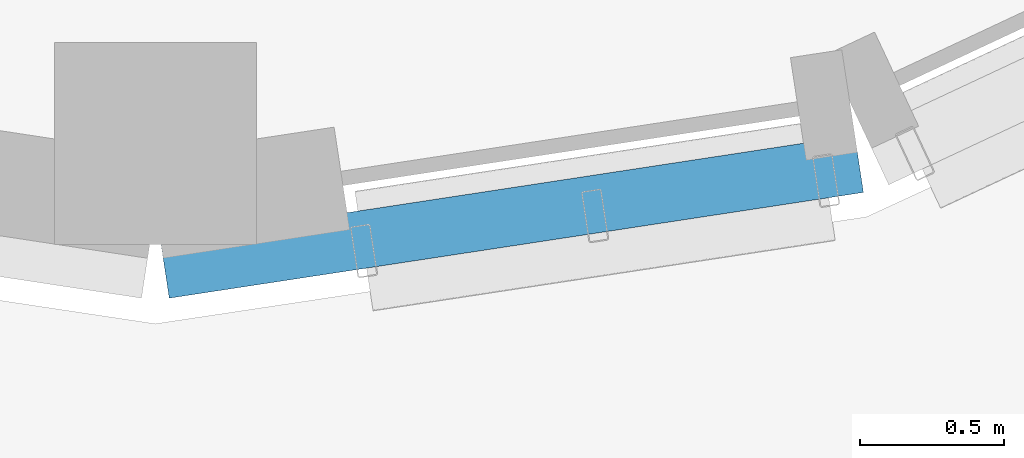
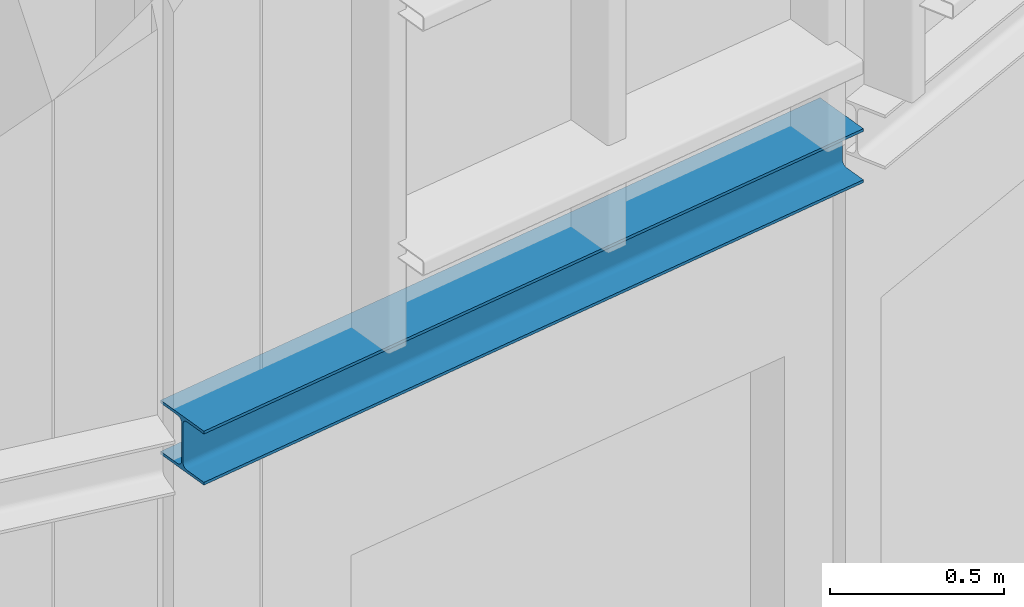
# One storey, part 143 of 372: 1 beam.
"""IFC4 building model written with IfcOpenShell, lengths in metres."""

from ifc_helpers import new_model, si_unit, direction, frame, origin, origin_2d, place, context, subcontext, project, spatial, i_section, extrude, material, material_profile, profile_set, type_object, element, save


model = new_model("IFC4")

# Units and contexts
model_context = context("Model", 3, precision=1e-05, world=origin(), true_north=direction((0.0, 1.0)))
body_context = subcontext(model_context, "Body", "Model", "MODEL_VIEW")
ifc_project = project(units=[si_unit("LENGTHUNIT", "METRE"), si_unit("AREAUNIT", "SQUARE_METRE"), si_unit("VOLUMEUNIT", "CUBIC_METRE"), si_unit("PLANEANGLEUNIT", "RADIAN"), si_unit("MASSUNIT", "GRAM", prefix="KILO")], contexts=[model_context])

# Site, building, storey
site_placement = place(None, origin())
site = spatial("IfcSite", under=ifc_project, at=site_placement, CompositionType="ELEMENT")
building_placement = place(site_placement, origin())
building = spatial("IfcBuilding", under=site, at=building_placement, Name="Kaelora Sail Theatre", CompositionType="ELEMENT")
storey_placement = place(building_placement, origin())
storey = spatial("IfcBuildingStorey", under=building, at=storey_placement, Name="L00", CompositionType="ELEMENT", Elevation=0.0)

# Beam
ifc_material = material(Name="Steel S355", Category="steel")
ifc_material_profile = material_profile(ifc_material, i_section(OverallWidth=0.199951171875, OverallDepth=0.18994140625, WebThickness=0.006591796875, FlangeThickness=0.010009765625, FilletRadius=0.01806640625, at=origin_2d()), Name="HEA 200")
ifc_profile_set = profile_set([ifc_material_profile], Name="Steel S355")
beam_type = type_object("IfcBeamType", Name="STR-BM-BM-HEA200", PredefinedType="BEAM", material=ifc_profile_set)
beam_placement = place(storey_placement, frame((93.0390625, 31.408935546875, 3.0048828125), z_axis=(-0.988599043905, -0.150572010645, 0.0), x_axis=(0.150572010645, -0.988599043905, 0.0)))
element("IfcBeam", 1, at=beam_placement, inside=storey, type_object=beam_type, Name="Studio Theatre Sail Drum brise-soleil portal lintel beam C10", PredefinedType="BEAM", context=body_context, shape_type="SweptSolid", body=[
    extrude(i_section(OverallWidth=0.199951171875, OverallDepth=0.18994140625, WebThickness=0.006591796875, FlangeThickness=0.010009765625, FilletRadius=0.01806640625, at=origin_2d()), origin(), (0.0, 0.0, 1.0), 2.433837890625),
])

save(model, "model.ifc")
